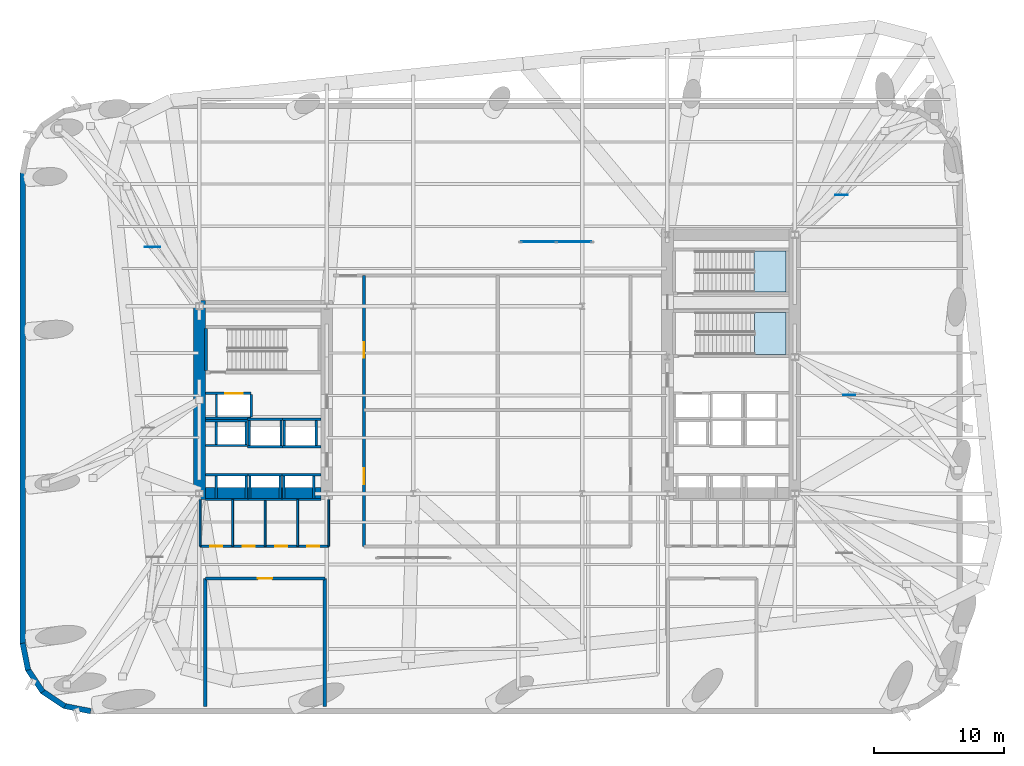
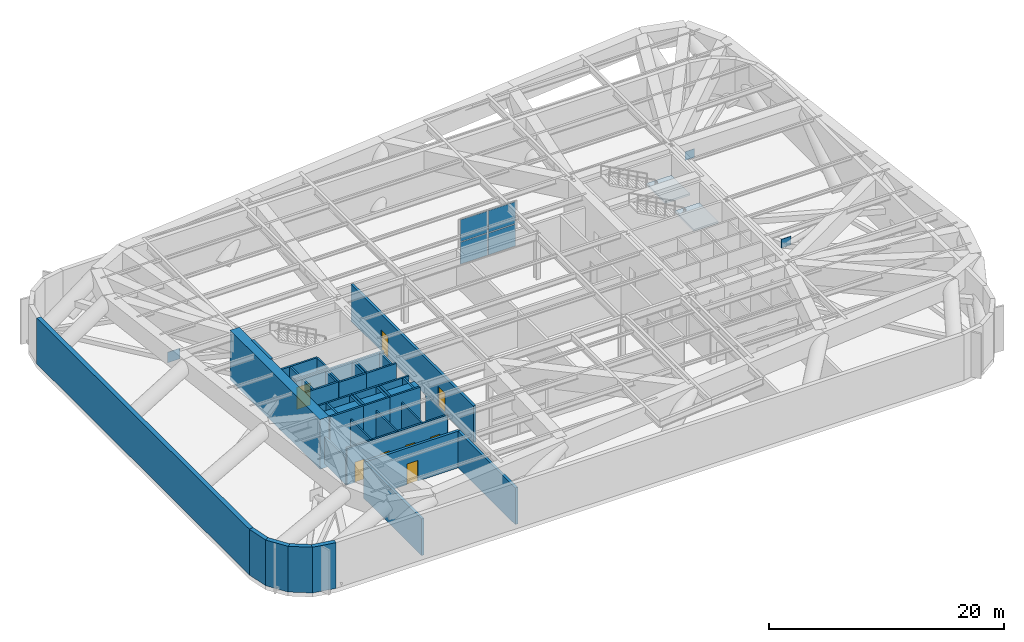
# One storey, part 8 of 16: 46 walls, 8 doors, 7 plates, 2 slabs, 8 openings, 3 elements without a shape of their own.
"""IFC4 building model written with IfcOpenShell, lengths in metres."""

from ifc_helpers import new_model, si_unit, direction, frame, frame_2d, origin, origin_2d, place, context, subcontext, project, spatial, polyline, rectangle, outline, extrude, material, layer, layer_set, type_object, element, fill, aggregate, save


model = new_model("IFC4")

# Units and contexts
model_context = context("Model", 3, precision=1e-05, world=origin(), true_north=direction((0.0, 1.0)))
body_context = subcontext(model_context, "Body", "Model", "MODEL_VIEW")
ifc_project = project(units=[si_unit("LENGTHUNIT", "METRE"), si_unit("AREAUNIT", "SQUARE_METRE"), si_unit("VOLUMEUNIT", "CUBIC_METRE"), si_unit("PLANEANGLEUNIT", "RADIAN"), si_unit("MASSUNIT", "GRAM", prefix="KILO")], contexts=[model_context])

# Site, building, storey
site_placement = place(None, origin())
site = spatial("IfcSite", under=ifc_project, at=site_placement, CompositionType="ELEMENT")
building_placement = place(site_placement, origin())
building = spatial("IfcBuilding", under=site, at=building_placement, Name="Kolvaren Arena Tower", CompositionType="ELEMENT")
storey_placement = place(building_placement, frame((0.0, 0.0, 94.5)))
storey = spatial("IfcBuildingStorey", under=building, at=storey_placement, Name="L21", CompositionType="ELEMENT", Elevation=94.5)

# Curtain wall, plates
ifc_material_1 = material(Name="Anodised aluminium unitised curtain wall", Category="aluminium")
curtain_wall_type = type_object("IfcCurtainWallType", Name="CW-SYS-05", PredefinedType="USERDEFINED", material=ifc_material_1)
curtain_wall_placement = place(storey_placement, origin())
curtain_wall = element("IfcCurtainWall", 1, at=curtain_wall_placement, inside=storey, type_object=curtain_wall_type, Name="Mechanical Plant Louvre Curtain Wall (L21)", ObjectType="ACOUSTIC LOUVRE SCREEN", PredefinedType="USERDEFINED")
ifc_material_2 = material(Name="Storm-proof anodised aluminium louvre panel", Category="aluminium")
ifc_layer_1 = layer(ifc_material_2, 0.074951171875)
ifc_layer_set_1 = layer_set([ifc_layer_1], Name="Storm-proof anodised aluminium louvre panel")
plate_type_1 = type_object("IfcPlateType", Name="CWP-LVR1", PredefinedType="CURTAIN_PANEL", material=ifc_layer_set_1)
plate_1_placement = place(storey_placement, frame((40.625, 38.800048828125, 0.080078125), z_axis=(0.0, 0.0, 1.0), x_axis=(1.0, 0.0, 0.0)))
plate_1 = element("IfcPlate", 2, at=plate_1_placement, type_object=plate_type_1, Name="CW5 panel 1.1", PredefinedType="CURTAIN_PANEL", context=body_context, shape_type="SweptSolid", body=[
    extrude(rectangle(XDim=2.64990234375, YDim=0.074951171875, at=origin_2d()), origin(), (0.0, 0.0, 1.0), 2.2548828125),
])
plate_2_placement = place(storey_placement, frame((40.625, 38.800048828125, 2.4150390625), z_axis=(0.0, 0.0, 1.0), x_axis=(1.0, 0.0, 0.0)))
plate_2 = element("IfcPlate", 3, at=plate_2_placement, type_object=plate_type_1, Name="CW5 panel 1.2", PredefinedType="CURTAIN_PANEL", context=body_context, shape_type="SweptSolid", body=[
    extrude(rectangle(XDim=2.64990234375, YDim=0.074951171875, at=origin_2d()), origin(), (0.0, 0.0, 1.0), 2.2548828125),
])
plate_3_placement = place(storey_placement, frame((43.375, 38.800048828125, 0.080078125), z_axis=(0.0, 0.0, 1.0), x_axis=(1.0, 0.0, 0.0)))
plate_3 = element("IfcPlate", 4, at=plate_3_placement, type_object=plate_type_1, Name="CW5 panel 2.1", PredefinedType="CURTAIN_PANEL", context=body_context, shape_type="SweptSolid", body=[
    extrude(rectangle(XDim=2.64990234375, YDim=0.074951171875, at=origin_2d()), origin(), (0.0, 0.0, 1.0), 2.2548828125),
])
plate_4_placement = place(storey_placement, frame((43.375, 38.800048828125, 2.4150390625), z_axis=(0.0, 0.0, 1.0), x_axis=(1.0, 0.0, 0.0)))
plate_4 = element("IfcPlate", 5, at=plate_4_placement, type_object=plate_type_1, Name="CW5 panel 2.2", PredefinedType="CURTAIN_PANEL", context=body_context, shape_type="SweptSolid", body=[
    extrude(rectangle(XDim=2.64990234375, YDim=0.074951171875, at=origin_2d()), origin(), (0.0, 0.0, 1.0), 2.2548828125),
])
aggregate(curtain_wall, [plate_1, plate_2, plate_3, plate_4])

# Plates
ifc_material_3 = material(Name="Steel CSA G40.21 350WT", Category="steel")
ifc_layer_2 = layer(ifc_material_3, 0.0380859375)
ifc_layer_set_2 = layer_set([ifc_layer_2], Name="Steel CSA G40.21 350WT")
plate_type_2 = type_object("IfcPlateType", Name="PLT-GUS-B1", PredefinedType="USERDEFINED", material=ifc_layer_set_2)
for number, where, z_axis, x_axis, name in (
    (6, (63.9287109375, 42.396484375, 0.199951171875), (0.0, 0.0, 1.0), (1.0, 0.0, 0.0), "Outrigger Truss Gusset Plate 4 (L21)"),
    (7, (64.531494140625, 27.045654296875, 0.199951171875), (0.0, 0.0, 1.0), (1.0, 0.0, 0.0), "Outrigger Truss Gusset Plate 6 (L21)"),
):
    element("IfcPlate", number, at=place(storey_placement, frame(where, z_axis=z_axis, x_axis=x_axis)), inside=storey, type_object=plate_type_2, Name=name, ObjectType="GUSSET PLATE", PredefinedType="USERDEFINED", context=body_context, shape_type="SweptSolid", body=[
        extrude(rectangle(XDim=0.949951171875, YDim=0.0380859375, at=origin_2d()), origin(), (0.0, 0.0, 1.0), 0.89990234375),
    ])
ifc_layer_3 = layer(ifc_material_3, 0.044921875)
ifc_layer_set_3 = layer_set([ifc_layer_3], Name="Steel CSA G40.21 350WT")
plate_type_3 = type_object("IfcPlateType", Name="PLT-GUS-O1", PredefinedType="USERDEFINED", material=ifc_layer_set_3)
plate_5_placement = place(storey_placement, frame((10.92919921875, 38.408447265625, 0.199951171875), z_axis=(0.0, 0.0, 1.0), x_axis=(1.0, 0.0, 0.0)))
element("IfcPlate", 8, at=plate_5_placement, inside=storey, type_object=plate_type_3, Name="Outrigger Truss Gusset Plate 2 (L21)", ObjectType="GUSSET PLATE", PredefinedType="USERDEFINED", context=body_context, shape_type="SweptSolid", body=[
    extrude(rectangle(XDim=1.199951171875, YDim=0.044921875, at=origin_2d()), origin(), (0.0, 0.0, 1.0), 1.10009765625),
])

# Stair, slab
ifc_material_4 = material(Name="Concrete 45 MPa", Category="concrete")
stair_type_1 = type_object("IfcStairType", Name="STAIR-CORE-165", PredefinedType="HALF_TURN_STAIR", material=ifc_material_4)
stair_1_placement = place(storey_placement, origin())
stair_1 = element("IfcStair", 9, at=stair_1_placement, inside=storey, type_object=stair_type_1, Name="L21 ST-E1", PredefinedType="HALF_TURN_STAIR")
ifc_layer_4 = layer(ifc_material_4, 0.199951171875)
ifc_layer_set_4 = layer_set([ifc_layer_4], Name="Concrete 45 MPa")
slab_type = type_object("IfcSlabType", Name="SLAB-LAND", PredefinedType="LANDING", material=ifc_layer_set_4)
slab_1_placement = place(storey_placement, frame((0.0, 0.0, 2.39990234375)))
slab_1 = element("IfcSlab", 10, at=slab_1_placement, type_object=slab_type, Name="ST-E1 landing 1", PredefinedType="LANDING", context=body_context, shape_type="SweptSolid", body=[
    extrude(outline(polyline([(57.256103515625, 30.14990234375), (59.659912109375, 30.14990234375), (59.659912109375, 33.3798828125), (57.256103515625, 33.3798828125), (57.256103515625, 30.14990234375)])), origin(), (0.0, 0.0, 1.0), 0.2001953125),
])
aggregate(stair_1, [slab_1])

stair_type_2 = type_object("IfcStairType", Name="STAIR-CORE-150", PredefinedType="HALF_TURN_STAIR", material=ifc_material_4)
stair_2_placement = place(storey_placement, origin())
stair_2 = element("IfcStair", 11, at=stair_2_placement, inside=storey, type_object=stair_type_2, Name="L21 ST-E2", PredefinedType="HALF_TURN_STAIR")
slab_2_placement = place(storey_placement, frame((0.0, 0.0, 2.39990234375)))
slab_2 = element("IfcSlab", 12, at=slab_2_placement, type_object=slab_type, Name="ST-E2 landing 1", PredefinedType="LANDING", context=body_context, shape_type="SweptSolid", body=[
    extrude(outline(polyline([(57.216064453125, 34.949951171875), (59.659912109375, 34.949951171875), (59.659912109375, 38.10009765625), (57.216064453125, 38.10009765625), (57.216064453125, 34.949951171875)])), origin(), (0.0, 0.0, 1.0), 0.2001953125),
])
aggregate(stair_2, [slab_2])

# Walls
ifc_material_5 = material(Name="Concrete 80 MPa", Category="concrete")
ifc_layer_5 = layer(ifc_material_5, 0.89990234375)
ifc_layer_set_5 = layer_set([ifc_layer_5], Name="Concrete 80 MPa")
wall_type_1 = type_object("IfcWallType", Name="CWALL-900", PredefinedType="SHEAR", material=ifc_layer_set_5)
wall_1_placement = place(storey_placement, frame((14.550048828125, 19.0, -0.419921875), z_axis=(0.0, 0.0, 1.0), x_axis=(0.0, 1.0, 0.0)))
element("IfcWall", 13, at=wall_1_placement, inside=storey, type_object=wall_type_1, Name="Core Shear Wall WC-WEST (L21)", PredefinedType="SHEAR", context=body_context, shape_type="SweptSolid", body=[
    extrude(rectangle(XDim=15.300048828125, YDim=0.89990234375, at=frame_2d((7.64990234375, 0.0))), origin(), (0.0, 0.0, 1.0), 5.169921875),
])
wall_2_placement = place(storey_placement, frame((15.0, 19.449951171875, -0.419921875), z_axis=(0.0, 0.0, 1.0), x_axis=(1.0, 0.0, 0.0)))
element("IfcWall", 14, at=wall_2_placement, inside=storey, type_object=wall_type_1, Name="Core Shear Wall WC-SOUTH (L21)", PredefinedType="SHEAR", context=body_context, shape_type="SweptSolid", body=[
    extrude(rectangle(XDim=8.89990234375, YDim=0.89990234375, at=frame_2d((4.449951171875, 0.0))), origin(), (0.0, 0.0, 1.0), 5.169921875),
])
ifc_material_6 = material(Name="Precast concrete C50/60", Category="concrete")
ifc_layer_6 = layer(ifc_material_6, 0.419921875)
ifc_layer_set_6 = layer_set([ifc_layer_6], Name="Precast concrete C50/60")
wall_type_2 = type_object("IfcWallType", Name="EXT-PIER1", PredefinedType="SOLIDWALL", material=ifc_layer_set_6)
wall_3_placement = place(storey_placement, frame((0.9599609375, 7.89990234375, 0.0), z_axis=(0.0, 0.0, 1.0), x_axis=(0.0, 1.0, 0.0)))
element("IfcWall", 15, at=wall_3_placement, inside=storey, type_object=wall_type_2, Name="Exterior Precast Masonry-Frame Wall (L21)", PredefinedType="SOLIDWALL", context=body_context, shape_type="SweptSolid", body=[
    extrude(rectangle(XDim=36.2001953125, YDim=0.419921875, at=frame_2d((18.10009765625, 0.0))), origin(), (0.0, 0.0, 1.0), 4.75),
])
for number, where, z_axis, x_axis, name in (
    (16, (1.3671875, 5.87451171875, 0.0), (0.0, 0.0, 1.0), (-0.195135546048, 0.9807762837, 0.0), "Exterior Precast Masonry-Frame Wall (L21)"),
    (17, (2.506103515625, 4.1982421875, 0.0), (0.0, 0.0, 1.0), (-0.555502146192, 0.831515102434, 0.0), "Exterior Precast Masonry-Frame Wall (L21)"),
    (18, (4.2001953125, 3.085693359375, 0.0), (0.0, 0.0, 1.0), (-0.831515102434, 0.555502146192, 0.0), "Exterior Precast Masonry-Frame Wall (L21)"),
    (19, (6.19091796875, 2.7060546875, 0.0), (0.0, 0.0, 1.0), (-0.9807762837, 0.195135546048, 0.0), "Exterior Precast Masonry-Frame Wall (L21)"),
):
    element("IfcWall", number, at=place(storey_placement, frame(where, z_axis=z_axis, x_axis=x_axis)), inside=storey, type_object=wall_type_2, Name=name, PredefinedType="SOLIDWALL", context=body_context, shape_type="SweptSolid", body=[
        extrude(rectangle(XDim=2.10693359375, YDim=0.419921875, at=frame_2d((1.053466796875, 0.0))), origin(), (0.0, 0.0, 1.0), 4.75),
    ])
ifc_layer_7 = layer(ifc_material_4, 0.25)
ifc_layer_set_7 = layer_set([ifc_layer_7], Name="Concrete 45 MPa")
wall_type_3 = type_object("IfcWallType", Name="SHAFT-250", PredefinedType="SOLIDWALL", material=ifc_layer_set_7)
wall_4_placement = place(storey_placement, frame((15.06005859375, 28.89990234375, 0.0), z_axis=(0.0, 0.0, 1.0), x_axis=(0.0, 1.0, 0.0)))
element("IfcWall", 20, at=wall_4_placement, inside=storey, type_object=wall_type_3, Name="Core Shaft Wall (L21)", PredefinedType="SOLIDWALL", context=body_context, shape_type="SweptSolid", body=[
    extrude(rectangle(XDim=3.22998046875, YDim=0.239990234375, at=frame_2d((1.614990234375, 0.0))), origin(), (0.0, 0.0, 1.0), 4.75),
])
for number, where, z_axis, x_axis, name in (
    (21, (15.0, 20.905029296875, 0.0), (0.0, 0.0, 1.0), (1.0, 0.0, 0.0), "Core Shaft Wall (L21)"),
    (22, (15.0, 18.9951171875, 0.0), (0.0, 0.0, 1.0), (1.0, 0.0, 0.0), "Core Shaft Wall (L21)"),
):
    element("IfcWall", number, at=place(storey_placement, frame(where, z_axis=z_axis, x_axis=x_axis)), inside=storey, type_object=wall_type_3, Name=name, PredefinedType="SOLIDWALL", context=body_context, shape_type="SweptSolid", body=[
        extrude(rectangle(XDim=3.300048828125, YDim=0.179931640625, at=frame_2d((1.64990234375, 0.0))), origin(), (0.0, 0.0, 1.0), 4.75),
    ])
for number, where, z_axis, x_axis, name in (
    (23, (15.844970703125, 19.0849609375, 0.0), (0.0, 0.0, 1.0), (0.0, 1.0, 0.0), "Core Shaft Wall (L21)"),
    (24, (18.155029296875, 19.0849609375, 0.0), (0.0, 0.0, 1.0), (0.0, 1.0, 0.0), "Core Shaft Wall (L21)"),
):
    element("IfcWall", number, at=place(storey_placement, frame(where, z_axis=z_axis, x_axis=x_axis)), inside=storey, type_object=wall_type_3, Name=name, PredefinedType="SOLIDWALL", context=body_context, shape_type="SweptSolid", body=[
        extrude(rectangle(XDim=1.72998046875, YDim=0.179931640625, at=frame_2d((0.864990234375, 0.0))), origin(), (0.0, 0.0, 1.0), 4.75),
    ])
for number, where, z_axis, x_axis, name in (
    (25, (18.300048828125, 20.905029296875, 0.0), (0.0, 0.0, 1.0), (1.0, 0.0, 0.0), "Core Shaft Wall (L21)"),
    (26, (18.300048828125, 18.9951171875, 0.0), (0.0, 0.0, 1.0), (1.0, 0.0, 0.0), "Core Shaft Wall (L21)"),
):
    element("IfcWall", number, at=place(storey_placement, frame(where, z_axis=z_axis, x_axis=x_axis)), inside=storey, type_object=wall_type_3, Name=name, PredefinedType="SOLIDWALL", context=body_context, shape_type="SweptSolid", body=[
        extrude(rectangle(XDim=2.599853515625, YDim=0.179931640625, at=frame_2d((1.2998046875, 0.0))), origin(), (0.0, 0.0, 1.0), 4.75),
    ])
for number, where, z_axis, x_axis, name in (
    (27, (18.445068359375, 19.0849609375, 0.0), (0.0, 0.0, 1.0), (0.0, 1.0, 0.0), "Core Shaft Wall (L21)"),
    (28, (20.7548828125, 19.0849609375, 0.0), (0.0, 0.0, 1.0), (0.0, 1.0, 0.0), "Core Shaft Wall (L21)"),
):
    element("IfcWall", number, at=place(storey_placement, frame(where, z_axis=z_axis, x_axis=x_axis)), inside=storey, type_object=wall_type_3, Name=name, PredefinedType="SOLIDWALL", context=body_context, shape_type="SweptSolid", body=[
        extrude(rectangle(XDim=1.72998046875, YDim=0.179931640625, at=frame_2d((0.864990234375, 0.0))), origin(), (0.0, 0.0, 1.0), 4.75),
    ])
for number, where, z_axis, x_axis, name in (
    (29, (20.89990234375, 20.905029296875, 0.0), (0.0, 0.0, 1.0), (1.0, 0.0, 0.0), "Core Shaft Wall (L21)"),
    (30, (20.89990234375, 18.9951171875, 0.0), (0.0, 0.0, 1.0), (1.0, 0.0, 0.0), "Core Shaft Wall (L21)"),
):
    element("IfcWall", number, at=place(storey_placement, frame(where, z_axis=z_axis, x_axis=x_axis)), inside=storey, type_object=wall_type_3, Name=name, PredefinedType="SOLIDWALL", context=body_context, shape_type="SweptSolid", body=[
        extrude(rectangle(XDim=3.0, YDim=0.179931640625, at=frame_2d((1.5, 0.0))), origin(), (0.0, 0.0, 1.0), 4.75),
    ])
for number, where, z_axis, x_axis, name in (
    (31, (21.044921875, 19.0849609375, 0.0), (0.0, 0.0, 1.0), (0.0, 1.0, 0.0), "Core Shaft Wall (L21)"),
    (32, (23.35498046875, 19.0849609375, 0.0), (0.0, 0.0, 1.0), (0.0, 1.0, 0.0), "Core Shaft Wall (L21)"),
):
    element("IfcWall", number, at=place(storey_placement, frame(where, z_axis=z_axis, x_axis=x_axis)), inside=storey, type_object=wall_type_3, Name=name, PredefinedType="SOLIDWALL", context=body_context, shape_type="SweptSolid", body=[
        extrude(rectangle(XDim=1.72998046875, YDim=0.179931640625, at=frame_2d((0.864990234375, 0.0))), origin(), (0.0, 0.0, 1.0), 4.75),
    ])
for number, where, z_axis, x_axis, name in (
    (33, (15.0, 25.054931640625, 0.0), (0.0, 0.0, 1.0), (1.0, 0.0, 0.0), "Core Shaft Wall (L21)"),
    (34, (15.0, 23.14501953125, 0.0), (0.0, 0.0, 1.0), (1.0, 0.0, 0.0), "Core Shaft Wall (L21)"),
):
    element("IfcWall", number, at=place(storey_placement, frame(where, z_axis=z_axis, x_axis=x_axis)), inside=storey, type_object=wall_type_3, Name=name, PredefinedType="SOLIDWALL", context=body_context, shape_type="SweptSolid", body=[
        extrude(rectangle(XDim=3.262451171875, YDim=0.179931640625, at=frame_2d((1.63134765625, 0.0))), origin(), (0.0, 0.0, 1.0), 4.75),
    ])
for number, where, z_axis, x_axis, name in (
    (35, (15.844970703125, 23.235107421875, 0.0), (0.0, 0.0, 1.0), (0.0, 1.0, 0.0), "Core Shaft Wall (L21)"),
    (36, (18.155029296875, 23.235107421875, 0.0), (0.0, 0.0, 1.0), (0.0, 1.0, 0.0), "Core Shaft Wall (L21)"),
):
    element("IfcWall", number, at=place(storey_placement, frame(where, z_axis=z_axis, x_axis=x_axis)), inside=storey, type_object=wall_type_3, Name=name, PredefinedType="SOLIDWALL", context=body_context, shape_type="SweptSolid", body=[
        extrude(rectangle(XDim=1.72998046875, YDim=0.179931640625, at=frame_2d((0.864990234375, 0.0))), origin(), (0.0, 0.0, 1.0), 4.75),
    ])
for number, where, z_axis, x_axis, name in (
    (37, (18.262451171875, 25.155029296875, 0.0), (0.0, 0.0, 1.0), (1.0, 0.0, 0.0), "Core Shaft Wall (L21)"),
    (38, (18.262451171875, 23.044921875, 0.0), (0.0, 0.0, 1.0), (1.0, 0.0, 0.0), "Core Shaft Wall (L21)"),
):
    element("IfcWall", number, at=place(storey_placement, frame(where, z_axis=z_axis, x_axis=x_axis)), inside=storey, type_object=wall_type_3, Name=name, PredefinedType="SOLIDWALL", context=body_context, shape_type="SweptSolid", body=[
        extrude(rectangle(XDim=2.6875, YDim=0.179931640625, at=frame_2d((1.34375, 0.0))), origin(), (0.0, 0.0, 1.0), 4.75),
    ])
for number, where, z_axis, x_axis, name in (
    (39, (18.3701171875, 23.135009765625, 0.0), (0.0, 0.0, 1.0), (0.0, 1.0, 0.0), "Core Shaft Wall (L21)"),
    (40, (20.830078125, 23.135009765625, 0.0), (0.0, 0.0, 1.0), (0.0, 1.0, 0.0), "Core Shaft Wall (L21)"),
):
    element("IfcWall", number, at=place(storey_placement, frame(where, z_axis=z_axis, x_axis=x_axis)), inside=storey, type_object=wall_type_3, Name=name, PredefinedType="SOLIDWALL", context=body_context, shape_type="SweptSolid", body=[
        extrude(rectangle(XDim=1.929931640625, YDim=0.179931640625, at=frame_2d((0.96484375, 0.0))), origin(), (0.0, 0.0, 1.0), 4.75),
    ])
for number, where, z_axis, x_axis, name in (
    (41, (20.949951171875, 25.155029296875, 0.0), (0.0, 0.0, 1.0), (1.0, 0.0, 0.0), "Core Shaft Wall (L21)"),
    (42, (20.949951171875, 23.044921875, 0.0), (0.0, 0.0, 1.0), (1.0, 0.0, 0.0), "Core Shaft Wall (L21)"),
):
    element("IfcWall", number, at=place(storey_placement, frame(where, z_axis=z_axis, x_axis=x_axis)), inside=storey, type_object=wall_type_3, Name=name, PredefinedType="SOLIDWALL", context=body_context, shape_type="SweptSolid", body=[
        extrude(rectangle(XDim=2.949951171875, YDim=0.179931640625, at=frame_2d((1.47509765625, 0.0))), origin(), (0.0, 0.0, 1.0), 4.75),
    ])
for number, where, z_axis, x_axis, name in (
    (43, (21.070068359375, 23.135009765625, 0.0), (0.0, 0.0, 1.0), (0.0, 1.0, 0.0), "Core Shaft Wall (L21)"),
    (44, (23.530029296875, 23.135009765625, 0.0), (0.0, 0.0, 1.0), (0.0, 1.0, 0.0), "Core Shaft Wall (L21)"),
):
    element("IfcWall", number, at=place(storey_placement, frame(where, z_axis=z_axis, x_axis=x_axis)), inside=storey, type_object=wall_type_3, Name=name, PredefinedType="SOLIDWALL", context=body_context, shape_type="SweptSolid", body=[
        extrude(rectangle(XDim=1.929931640625, YDim=0.179931640625, at=frame_2d((0.96484375, 0.0))), origin(), (0.0, 0.0, 1.0), 4.75),
    ])

# Wall, opening, door
wall_5_placement = place(storey_placement, frame((15.0, 27.155029296875, 0.0), z_axis=(0.0, 0.0, 1.0), x_axis=(1.0, 0.0, 0.0)))
wall_5 = element("IfcWall", 45, at=wall_5_placement, inside=storey, type_object=wall_type_3, Name="Core Shaft Wall (L21)", PredefinedType="SOLIDWALL", context=body_context, shape_type="SweptSolid", body=[
    extrude(rectangle(XDim=3.530029296875, YDim=0.179931640625, at=frame_2d((1.76513671875, 0.0))), origin(), (0.0, 0.0, 1.0), 4.75),
])
opening_1_placement = place(wall_5_placement, frame((1.52490234375, 0.0, 0.0)))
opening_1 = element("IfcOpeningElement", 46, at=opening_1_placement, cuts=wall_5, Name="Opening LD2", PredefinedType="OPENING", context=body_context, shape_type="SweptSolid", body=[
    extrude(rectangle(XDim=1.35009765625, YDim=2.300048828125, at=frame_2d((0.675048828125, 1.14990234375))), frame((0.0, 0.099853515625, 0.0), z_axis=(0.0, -1.0, 0.0), x_axis=(1.0, 0.0, 0.0)), (0.0, 0.0, 1.0), 0.199951171875),
])
ifc_material_7 = material(Name="Stainless steel firefighter lift landing door", Category="steel")
door_type_1 = type_object("IfcDoorType", Name="DOOR-LD-135", OperationType="DOUBLE_DOOR_SLIDING", PredefinedType="DOOR", material=ifc_material_7)
door_1_placement = place(opening_1_placement, origin())
door_1 = element("IfcDoor", 47, at=door_1_placement, inside=storey, type_object=door_type_1, Name="Firefighter Lift FF-W1 Landing Door (L21)", OperationType="DOUBLE_DOOR_SLIDING", OverallHeight=2.300048828125, OverallWidth=1.35009765625, PredefinedType="DOOR", context=body_context, shape_type="SweptSolid", body=[
    extrude(rectangle(XDim=1.35009765625, YDim=2.300048828125, at=frame_2d((0.675048828125, 1.14990234375))), frame((0.0, 0.02490234375, 0.0), z_axis=(0.0, -1.0, 0.0), x_axis=(1.0, 0.0, 0.0)), (0.0, 0.0, 1.0), 0.050048828125),
])
fill(opening_1, door_1)

# Walls
wall_6_placement = place(storey_placement, frame((15.0, 25.2451171875, 0.0), z_axis=(0.0, 0.0, 1.0), x_axis=(1.0, 0.0, 0.0)))
element("IfcWall", 48, at=wall_6_placement, inside=storey, type_object=wall_type_3, Name="Core Shaft Wall (L21)", PredefinedType="SOLIDWALL", context=body_context, shape_type="SweptSolid", body=[
    extrude(rectangle(XDim=3.530029296875, YDim=0.179931640625, at=frame_2d((1.76513671875, 0.0))), origin(), (0.0, 0.0, 1.0), 4.75),
])
for number, where, z_axis, x_axis, name in (
    (49, (15.8701171875, 25.3349609375, 0.0), (0.0, 0.0, 1.0), (0.0, 1.0, 0.0), "Core Shaft Wall (L21)"),
    (50, (18.530029296875, 25.3349609375, 0.0), (0.0, 0.0, 1.0), (0.0, 1.0, 0.0), "Core Shaft Wall (L21)"),
):
    element("IfcWall", number, at=place(storey_placement, frame(where, z_axis=z_axis, x_axis=x_axis)), inside=storey, type_object=wall_type_3, Name=name, PredefinedType="SOLIDWALL", context=body_context, shape_type="SweptSolid", body=[
        extrude(rectangle(XDim=1.72998046875, YDim=0.179931640625, at=frame_2d((0.864990234375, 0.0))), origin(), (0.0, 0.0, 1.0), 4.75),
    ])

# Wall, openings, doors
wall_7_placement = place(storey_placement, frame((27.199951171875, 15.3798828125, 0.0), z_axis=(0.0, 0.0, 1.0), x_axis=(0.0, 1.0, 0.0)))
wall_7 = element("IfcWall", 51, at=wall_7_placement, inside=storey, type_object=wall_type_3, Name="Interior Partition Wall (L21)", PredefinedType="SOLIDWALL", context=body_context, shape_type="SweptSolid", body=[
    extrude(rectangle(XDim=20.840087890625, YDim=0.25, at=frame_2d((10.419921875, 0.0))), origin(), (0.0, 0.0, 1.0), 3.81005859375),
])
opening_2_placement = place(wall_7_placement, frame((4.800048828125, 0.0, 0.0)))
opening_2 = element("IfcOpeningElement", 52, at=opening_2_placement, cuts=wall_7, Name="Opening D08", PredefinedType="OPENING", context=body_context, shape_type="SweptSolid", body=[
    extrude(rectangle(XDim=1.199951171875, YDim=2.199951171875, at=frame_2d((0.60009765625, 1.10009765625))), frame((0.0, 0.135009765625, 0.0), z_axis=(0.0, -1.0, 0.0), x_axis=(1.0, 0.0, 0.0)), (0.0, 0.0, 1.0), 0.27001953125),
])
opening_3_placement = place(wall_7_placement, frame((14.5, 0.0, 0.0)))
opening_3 = element("IfcOpeningElement", 53, at=opening_3_placement, cuts=wall_7, Name="Opening D08", PredefinedType="OPENING", context=body_context, shape_type="SweptSolid", body=[
    extrude(rectangle(XDim=1.199951171875, YDim=2.199951171875, at=frame_2d((0.60009765625, 1.10009765625))), frame((0.0, 0.135009765625, 0.0), z_axis=(0.0, -1.0, 0.0), x_axis=(1.0, 0.0, 0.0)), (0.0, 0.0, 1.0), 0.27001953125),
])
ifc_material_8 = material(Name="Fire-rated steel plant room door", Category="steel")
door_type_2 = type_object("IfcDoorType", Name="DOOR-PL-120", OperationType="NOTDEFINED", PredefinedType="DOOR", material=ifc_material_8)
door_2_placement = place(opening_2_placement, origin())
door_2 = element("IfcDoor", 54, at=door_2_placement, inside=storey, type_object=door_type_2, Name="AHU Plant Door (L21)", OperationType="SINGLE_SWING_LEFT", OverallHeight=2.199951171875, OverallWidth=1.199951171875, PredefinedType="DOOR", context=body_context, shape_type="SweptSolid", body=[
    extrude(rectangle(XDim=1.199951171875, YDim=2.199951171875, at=frame_2d((0.60009765625, 1.10009765625))), frame((0.0, 0.02490234375, 0.0), z_axis=(0.0, -1.0, 0.0), x_axis=(1.0, 0.0, 0.0)), (0.0, 0.0, 1.0), 0.050048828125),
])
fill(opening_2, door_2)
door_3_placement = place(opening_3_placement, origin())
door_3 = element("IfcDoor", 55, at=door_3_placement, inside=storey, type_object=door_type_2, Name="Pump Plant Door (L21)", OperationType="SINGLE_SWING_RIGHT", OverallHeight=2.199951171875, OverallWidth=1.199951171875, PredefinedType="DOOR", context=body_context, shape_type="SweptSolid", body=[
    extrude(rectangle(XDim=1.199951171875, YDim=2.199951171875, at=frame_2d((0.60009765625, 1.10009765625))), frame((0.0, 0.02490234375, 0.0), z_axis=(0.0, -1.0, 0.0), x_axis=(1.0, 0.0, 0.0)), (0.0, 0.0, 1.0), 0.050048828125),
])
fill(opening_3, door_3)

# Wall, opening, door
wall_8_placement = place(storey_placement, frame((15.0, 12.919921875, 0.0), z_axis=(0.0, 0.0, 1.0), x_axis=(1.0, 0.0, 0.0)))
wall_8 = element("IfcWall", 56, at=wall_8_placement, inside=storey, type_object=wall_type_3, Name="Interior Partition Wall (L21)", PredefinedType="SOLIDWALL", context=body_context, shape_type="SweptSolid", body=[
    extrude(rectangle(XDim=9.199951171875, YDim=0.25, at=frame_2d((4.60009765625, 0.0))), origin(), (0.0, 0.0, 1.0), 3.81005859375),
])
opening_4_placement = place(wall_8_placement, frame((4.050048828125, 0.0, 0.0)))
opening_4 = element("IfcOpeningElement", 57, at=opening_4_placement, cuts=wall_8, Name="Opening D03", PredefinedType="OPENING", context=body_context, shape_type="SweptSolid", body=[
    extrude(rectangle(XDim=1.10009765625, YDim=2.14990234375, at=frame_2d((0.550048828125, 1.074951171875))), frame((0.0, 0.135009765625, 0.0), z_axis=(0.0, -1.0, 0.0), x_axis=(1.0, 0.0, 0.0)), (0.0, 0.0, 1.0), 0.27001953125),
])
ifc_material_9 = material(Name="Fire-rated steel exit stair door", Category="steel")
door_type_3 = type_object("IfcDoorType", Name="DOOR-ST-110", OperationType="NOTDEFINED", PredefinedType="DOOR", material=ifc_material_9)
door_4_placement = place(opening_4_placement, origin())
door_4 = element("IfcDoor", 58, at=door_4_placement, inside=storey, type_object=door_type_3, Name="West Area of Refuge Door (L21)", OperationType="SINGLE_SWING_LEFT", OverallHeight=2.14990234375, OverallWidth=1.10009765625, PredefinedType="DOOR", context=body_context, shape_type="SweptSolid", body=[
    extrude(rectangle(XDim=1.10009765625, YDim=2.14990234375, at=frame_2d((0.550048828125, 1.074951171875))), frame((0.0, 0.02490234375, 0.0), z_axis=(0.0, -1.0, 0.0), x_axis=(1.0, 0.0, 0.0)), (0.0, 0.0, 1.0), 0.050048828125),
])
fill(opening_4, door_4)

# Walls
for number, where, z_axis, x_axis, name in (
    (59, (15.0, 3.06005859375, 0.0), (0.0, 0.0, 1.0), (0.0, 1.0, 0.0), "Interior Partition Wall (L21)"),
    (60, (24.199951171875, 3.06005859375, 0.0), (0.0, 0.0, 1.0), (0.0, 1.0, 0.0), "Interior Partition Wall (L21)"),
):
    element("IfcWall", number, at=place(storey_placement, frame(where, z_axis=z_axis, x_axis=x_axis)), inside=storey, type_object=wall_type_3, Name=name, PredefinedType="SOLIDWALL", context=body_context, shape_type="SweptSolid", body=[
        extrude(rectangle(XDim=9.85986328125, YDim=0.25, at=frame_2d((4.929931640625, 0.0))), origin(), (0.0, 0.0, 1.0), 3.81005859375),
    ])
ifc_material_10 = material(Name="Moisture-resistant gypsum assembly", Category="gypsum")
ifc_layer_8 = layer(ifc_material_10, 0.14990234375)
ifc_layer_set_8 = layer_set([ifc_layer_8], Name="Moisture-resistant gypsum assembly")
wall_type_4 = type_object("IfcWallType", Name="WETW-150", PredefinedType="PARTITIONING", material=ifc_layer_set_8)
for number, where, z_axis, x_axis, name in (
    (61, (17.10009765625, 15.39990234375, 0.0), (0.0, 0.0, 1.0), (0.0, 1.0, 0.0), "Interior Partition Wall (L21)"),
    (62, (19.60009765625, 15.39990234375, 0.0), (0.0, 0.0, 1.0), (0.0, 1.0, 0.0), "Interior Partition Wall (L21)"),
    (63, (22.10009765625, 15.39990234375, 0.0), (0.0, 0.0, 1.0), (0.0, 1.0, 0.0), "Interior Partition Wall (L21)"),
):
    element("IfcWall", number, at=place(storey_placement, frame(where, z_axis=z_axis, x_axis=x_axis)), inside=storey, type_object=wall_type_4, Name=name, PredefinedType="PARTITIONING", context=body_context, shape_type="SweptSolid", body=[
        extrude(rectangle(XDim=3.580078125, YDim=0.14990234375, at=frame_2d((1.7900390625, 0.0))), origin(), (0.0, 0.0, 1.0), 3.81005859375),
    ])

# Wall, openings, doors
wall_9_placement = place(storey_placement, frame((14.60009765625, 15.39990234375, 0.0), z_axis=(0.0, 0.0, 1.0), x_axis=(1.0, 0.0, 0.0)))
wall_9 = element("IfcWall", 64, at=wall_9_placement, inside=storey, type_object=wall_type_4, Name="Interior Partition Wall (L21)", PredefinedType="PARTITIONING", context=body_context, shape_type="SweptSolid", body=[
    extrude(rectangle(XDim=9.89990234375, YDim=0.179931640625, at=frame_2d((4.949951171875, 0.0))), origin(), (0.0, 0.0, 1.0), 3.81005859375),
])
opening_5_placement = place(wall_9_placement, frame((0.7900390625, 0.0, 0.0)))
opening_5 = element("IfcOpeningElement", 65, at=opening_5_placement, cuts=wall_9, Name="Opening D07", PredefinedType="OPENING", context=body_context, shape_type="SweptSolid", body=[
    extrude(rectangle(XDim=0.919921875, YDim=2.10009765625, at=frame_2d((0.4599609375, 1.050048828125))), frame((0.0, 0.099853515625, 0.0), z_axis=(0.0, -1.0, 0.0), x_axis=(1.0, 0.0, 0.0)), (0.0, 0.0, 1.0), 0.199951171875),
])
opening_6_placement = place(wall_9_placement, frame((3.2900390625, 0.0, 0.0)))
opening_6 = element("IfcOpeningElement", 66, at=opening_6_placement, cuts=wall_9, Name="Opening D07", PredefinedType="OPENING", context=body_context, shape_type="SweptSolid", body=[
    extrude(rectangle(XDim=0.919921875, YDim=2.10009765625, at=frame_2d((0.4599609375, 1.050048828125))), frame((0.0, 0.099853515625, 0.0), z_axis=(0.0, -1.0, 0.0), x_axis=(1.0, 0.0, 0.0)), (0.0, 0.0, 1.0), 0.199951171875),
])
opening_7_placement = place(wall_9_placement, frame((5.7900390625, 0.0, 0.0)))
opening_7 = element("IfcOpeningElement", 67, at=opening_7_placement, cuts=wall_9, Name="Opening D07", PredefinedType="OPENING", context=body_context, shape_type="SweptSolid", body=[
    extrude(rectangle(XDim=0.919921875, YDim=2.10009765625, at=frame_2d((0.4599609375, 1.050048828125))), frame((0.0, 0.099853515625, 0.0), z_axis=(0.0, -1.0, 0.0), x_axis=(1.0, 0.0, 0.0)), (0.0, 0.0, 1.0), 0.199951171875),
])
opening_8_placement = place(wall_9_placement, frame((8.239990234375, 0.0, 0.0)))
opening_8 = element("IfcOpeningElement", 68, at=opening_8_placement, cuts=wall_9, Name="Opening D07", PredefinedType="OPENING", context=body_context, shape_type="SweptSolid", body=[
    extrude(rectangle(XDim=0.919921875, YDim=2.10009765625, at=frame_2d((0.4599609375, 1.050048828125))), frame((0.0, 0.099853515625, 0.0), z_axis=(0.0, -1.0, 0.0), x_axis=(1.0, 0.0, 0.0)), (0.0, 0.0, 1.0), 0.199951171875),
])
ifc_material_11 = material(Name="Laminate universal washroom door", Category="wood")
door_type_4 = type_object("IfcDoorType", Name="DOOR-WC-092", OperationType="NOTDEFINED", PredefinedType="DOOR", material=ifc_material_11)
door_5_placement = place(opening_5_placement, origin())
door_5 = element("IfcDoor", 69, at=door_5_placement, inside=storey, type_object=door_type_4, Name="Women Restroom Door (L21)", OperationType="SINGLE_SWING_LEFT", OverallHeight=2.10009765625, OverallWidth=0.919921875, PredefinedType="DOOR", context=body_context, shape_type="SweptSolid", body=[
    extrude(rectangle(XDim=0.919921875, YDim=2.10009765625, at=frame_2d((0.4599609375, 1.050048828125))), frame((0.0, 0.02490234375, 0.0), z_axis=(0.0, -1.0, 0.0), x_axis=(1.0, 0.0, 0.0)), (0.0, 0.0, 1.0), 0.050048828125),
])
fill(opening_5, door_5)
door_6_placement = place(opening_6_placement, origin())
door_6 = element("IfcDoor", 70, at=door_6_placement, inside=storey, type_object=door_type_4, Name="Men Restroom Door (L21)", OperationType="SINGLE_SWING_RIGHT", OverallHeight=2.10009765625, OverallWidth=0.919921875, PredefinedType="DOOR", context=body_context, shape_type="SweptSolid", body=[
    extrude(rectangle(XDim=0.919921875, YDim=2.10009765625, at=frame_2d((0.4599609375, 1.050048828125))), frame((0.0, 0.02490234375, 0.0), z_axis=(0.0, -1.0, 0.0), x_axis=(1.0, 0.0, 0.0)), (0.0, 0.0, 1.0), 0.050048828125),
])
fill(opening_6, door_6)
door_7_placement = place(opening_7_placement, origin())
door_7 = element("IfcDoor", 71, at=door_7_placement, inside=storey, type_object=door_type_4, Name="Universal Barrier-Free Washroom Door (L21)", OperationType="SINGLE_SWING_LEFT", OverallHeight=2.10009765625, OverallWidth=0.919921875, PredefinedType="DOOR", context=body_context, shape_type="SweptSolid", body=[
    extrude(rectangle(XDim=0.919921875, YDim=2.10009765625, at=frame_2d((0.4599609375, 1.050048828125))), frame((0.0, 0.02490234375, 0.0), z_axis=(0.0, -1.0, 0.0), x_axis=(1.0, 0.0, 0.0)), (0.0, 0.0, 1.0), 0.050048828125),
])
fill(opening_7, door_7)
door_8_placement = place(opening_8_placement, origin())
door_8 = element("IfcDoor", 72, at=door_8_placement, inside=storey, type_object=door_type_4, Name="Linen Store Door (L21)", OperationType="SINGLE_SWING_RIGHT", OverallHeight=2.10009765625, OverallWidth=0.919921875, PredefinedType="DOOR", context=body_context, shape_type="SweptSolid", body=[
    extrude(rectangle(XDim=0.919921875, YDim=2.10009765625, at=frame_2d((0.4599609375, 1.050048828125))), frame((0.0, 0.02490234375, 0.0), z_axis=(0.0, -1.0, 0.0), x_axis=(1.0, 0.0, 0.0)), (0.0, 0.0, 1.0), 0.050048828125),
])
fill(opening_8, door_8)

# Walls
wall_10_placement = place(storey_placement, frame((14.60009765625, 15.39990234375, 0.0), z_axis=(0.0, 0.0, 1.0), x_axis=(0.0, 1.0, 0.0)))
element("IfcWall", 73, at=wall_10_placement, inside=storey, type_object=wall_type_4, Name="Interior Partition Wall (L21)", PredefinedType="PARTITIONING", context=body_context, shape_type="SweptSolid", body=[
    extrude(rectangle(XDim=3.580078125, YDim=0.14990234375, at=frame_2d((1.7900390625, 0.0))), origin(), (0.0, 0.0, 1.0), 2.800048828125),
])
wall_11_placement = place(storey_placement, frame((24.5, 15.39990234375, 0.0), z_axis=(0.0, 0.0, 1.0), x_axis=(0.0, 1.0, 0.0)))
element("IfcWall", 74, at=wall_11_placement, inside=storey, type_object=wall_type_4, Name="Interior Partition Wall (L21)", PredefinedType="PARTITIONING", context=body_context, shape_type="SweptSolid", body=[
    extrude(rectangle(XDim=3.580078125, YDim=0.14990234375, at=frame_2d((1.7900390625, 0.0))), origin(), (0.0, 0.0, 1.0), 3.81005859375),
])

save(model, "model.ifc")
